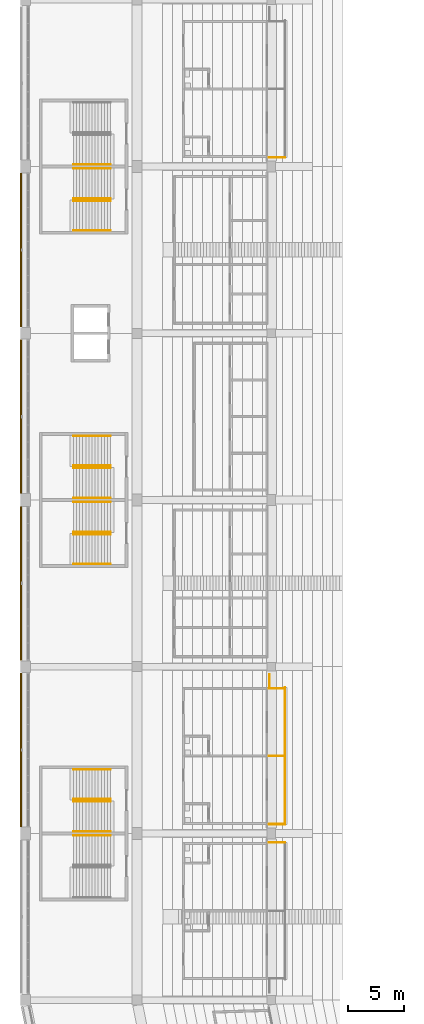
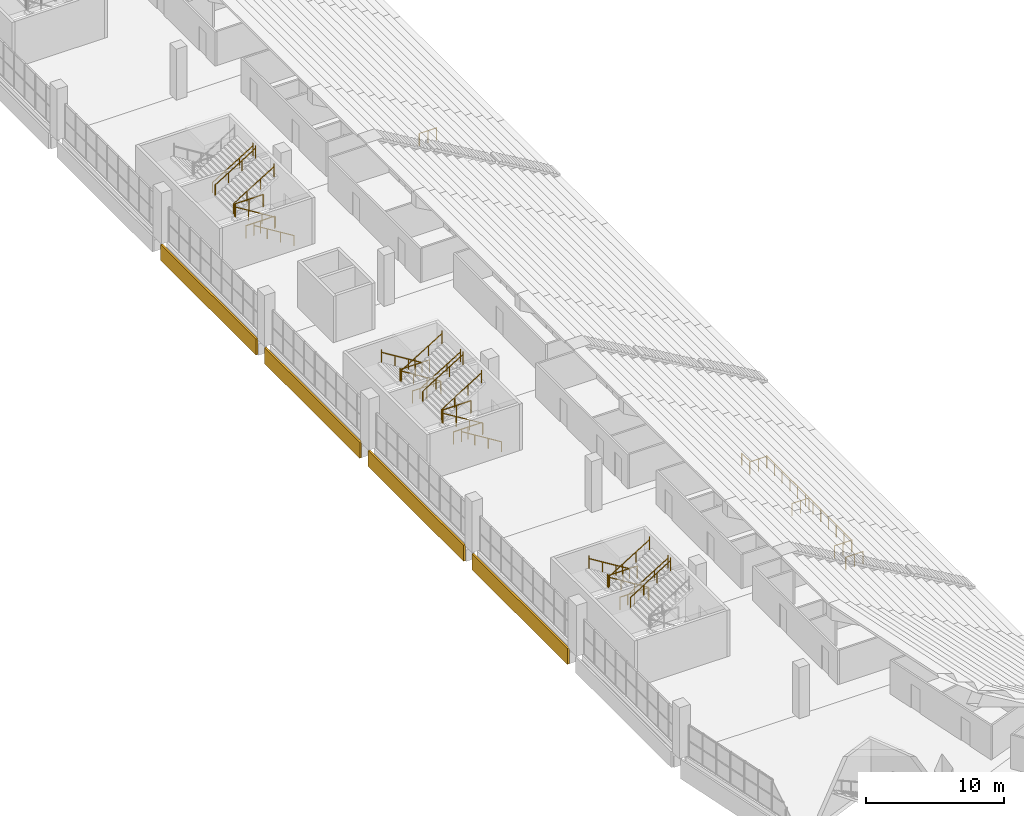
# One storey, part 236 of 249: 33 railings, 4 coverings.
"""IFC4 building model written with IfcOpenShell, lengths in metres."""

from ifc_helpers import new_model, si_unit, direction, frame, origin, origin_2d, place, context, subcontext, project, spatial, polyline, circle, outline, extrude, material, layer, layer_set, type_object, element, save


model = new_model("IFC4")

# Units and contexts
model_context = context("Model", 3, precision=1e-05, world=origin(), true_north=direction((0.0, 1.0)))
body_context = subcontext(model_context, "Body", "Model", "MODEL_VIEW")
ifc_project = project(units=[si_unit("LENGTHUNIT", "METRE"), si_unit("AREAUNIT", "SQUARE_METRE"), si_unit("VOLUMEUNIT", "CUBIC_METRE"), si_unit("PLANEANGLEUNIT", "RADIAN"), si_unit("MASSUNIT", "GRAM", prefix="KILO")], contexts=[model_context])

# Site, building, storey
site_placement = place(None, origin())
site = spatial("IfcSite", under=ifc_project, at=site_placement, CompositionType="ELEMENT")
building_placement = place(site_placement, origin())
building = spatial("IfcBuilding", under=site, at=building_placement, Name="Ogive Plaza Stadium", CompositionType="ELEMENT")
storey_placement = place(building_placement, frame((0.0, 0.0, 13.5)))
storey = spatial("IfcBuildingStorey", under=building, at=storey_placement, Name="L03", CompositionType="ELEMENT", Elevation=13.5)

# Railings
ifc_material_1 = material(Name="Steel ASTM A572 Grade 50", Category="steel")
railing_type_1 = type_object("IfcRailingType", Name="Guard 1100", PredefinedType="GUARDRAIL", material=ifc_material_1)
for number, where, name in (
    (1, (-76.35009765625, -34.52490234375, 0.0), "Stair well guard ST22A L03"),
    (2, (-77.31005859375, -34.52490234375, 2.25), "Stair well guard ST22A L03"),
    (3, (-76.35009765625, -4.52490234375, 0.0), "Stair well guard ST24A L03"),
    (4, (-77.31005859375, -4.52490234375, 2.25), "Stair well guard ST24A L03"),
    (5, (-76.35009765625, -10.47509765625, 0.0), "Stair well guard ST24B L03"),
    (6, (-77.31005859375, -10.47509765625, 2.25), "Stair well guard ST24B L03"),
    (7, (-76.35009765625, 19.52490234375, 0.0), "Stair well guard ST26B L03"),
    (8, (-77.31005859375, 19.52490234375, 2.25), "Stair well guard ST26B L03"),
):
    element("IfcRailing", number, at=place(storey_placement, frame(where)), inside=storey, type_object=railing_type_1, Name=name, PredefinedType="GUARDRAIL", context=body_context, shape_type="SweptSolid", body=[
        extrude(circle(Radius=0.02392578125, at=origin_2d()), frame((0.0, 0.0, 1.076171875), z_axis=(-1.0, 0.0, 0.0), x_axis=(0.0, -1.0, 0.0)), (0.0, 0.0, 1.0), 2.39990234375),
        extrude(circle(Radius=0.02099609375, at=origin_2d()), origin(), (0.0, 0.0, 1.0), 1.052001953125),
        extrude(circle(Radius=0.02099609375, at=origin_2d()), frame((-1.199951171875, 0.0, 0.0)), (0.0, 0.0, 1.0), 1.052001953125),
        extrude(circle(Radius=0.02099609375, at=origin_2d()), frame((-2.39990234375, 0.0, 0.0)), (0.0, 0.0, 1.0), 1.052001953125),
    ])
railing_1_placement = place(storey_placement, frame((-60.64990234375, -38.324951171875, 0.0)))
element("IfcRailing", 9, at=railing_1_placement, inside=storey, type_object=railing_type_1, Name="Terrace screen B21", PredefinedType="GUARDRAIL", context=body_context, shape_type="SweptSolid", body=[
    extrude(circle(Radius=0.02392578125, at=origin_2d()), frame((0.0, 0.0, 1.076171875), z_axis=(-1.0, 0.0, 0.0), x_axis=(0.0, -1.0, 0.0)), (0.0, 0.0, 1.0), 1.4501953125),
    extrude(circle(Radius=0.02099609375, at=origin_2d()), origin(), (0.0, 0.0, 1.0), 1.052001953125),
    extrude(circle(Radius=0.02099609375, at=origin_2d()), frame((-0.72509765625, 0.0, 0.0)), (0.0, 0.0, 1.0), 1.052001953125),
    extrude(circle(Radius=0.02099609375, at=origin_2d()), frame((-1.4501953125, 0.0, 0.0)), (0.0, 0.0, 1.0), 1.052001953125),
])
railing_2_placement = place(storey_placement, frame((-60.64990234375, -36.675048828125, 0.0)))
element("IfcRailing", 10, at=railing_2_placement, inside=storey, type_object=railing_type_1, Name="Terrace guard B22", PredefinedType="GUARDRAIL", context=body_context, shape_type="SweptSolid", body=[
    extrude(circle(Radius=0.02392578125, at=origin_2d()), frame((0.0, 0.0, 1.076171875), z_axis=(0.0, 1.0, 0.0), x_axis=(-1.0, 0.0, 0.0)), (0.0, 0.0, 1.0), 12.300048828125),
    extrude(circle(Radius=0.02099609375, at=origin_2d()), origin(), (0.0, 0.0, 1.0), 1.052001953125),
    extrude(circle(Radius=0.02099609375, at=origin_2d()), frame((0.0, 1.1181640625, 0.0)), (0.0, 0.0, 1.0), 1.052001953125),
    extrude(circle(Radius=0.02099609375, at=origin_2d()), frame((0.0, 2.236328125, 0.0)), (0.0, 0.0, 1.0), 1.052001953125),
    extrude(circle(Radius=0.02099609375, at=origin_2d()), frame((0.0, 3.3544921875, 0.0)), (0.0, 0.0, 1.0), 1.052001953125),
    extrude(circle(Radius=0.02099609375, at=origin_2d()), frame((0.0, 4.47265625, 0.0)), (0.0, 0.0, 1.0), 1.052001953125),
    extrude(circle(Radius=0.02099609375, at=origin_2d()), frame((0.0, 5.5908203125, 0.0)), (0.0, 0.0, 1.0), 1.052001953125),
    extrude(circle(Radius=0.02099609375, at=origin_2d()), frame((0.0, 6.709228515625, 0.0)), (0.0, 0.0, 1.0), 1.052001953125),
    extrude(circle(Radius=0.02099609375, at=origin_2d()), frame((0.0, 7.827392578125, 0.0)), (0.0, 0.0, 1.0), 1.052001953125),
    extrude(circle(Radius=0.02099609375, at=origin_2d()), frame((0.0, 8.945556640625, 0.0)), (0.0, 0.0, 1.0), 1.052001953125),
    extrude(circle(Radius=0.02099609375, at=origin_2d()), frame((0.0, 10.063720703125, 0.0)), (0.0, 0.0, 1.0), 1.052001953125),
    extrude(circle(Radius=0.02099609375, at=origin_2d()), frame((0.0, 11.181884765625, 0.0)), (0.0, 0.0, 1.0), 1.052001953125),
    extrude(circle(Radius=0.02099609375, at=origin_2d()), frame((0.0, 12.300048828125, 0.0)), (0.0, 0.0, 1.0), 1.052001953125),
])
railing_3_placement = place(storey_placement, frame((-62.050048828125, -24.375, 0.0)))
element("IfcRailing", 11, at=railing_3_placement, inside=storey, type_object=railing_type_1, Name="Floor edge guard B22", PredefinedType="GUARDRAIL", context=body_context, shape_type="SweptSolid", body=[
    extrude(circle(Radius=0.02392578125, at=origin_2d()), frame((0.0, 0.0, 1.076171875), z_axis=(0.0, 1.0, 0.0), x_axis=(-1.0, 0.0, 0.0)), (0.0, 0.0, 1.0), 1.175048828125),
    extrude(circle(Radius=0.02099609375, at=origin_2d()), origin(), (0.0, 0.0, 1.0), 1.052001953125),
    extrude(circle(Radius=0.02099609375, at=origin_2d()), frame((0.0, 1.175048828125, 0.0)), (0.0, 0.0, 1.0), 1.052001953125),
])
for number, where, name in (
    (12, (-60.64990234375, -36.675048828125, 0.0), "Terrace screen B22"),
    (13, (-60.64990234375, -30.52490234375, 0.0), "Terrace screen B22"),
    (14, (-60.64990234375, -24.449951171875, 0.0), "Terrace screen B22"),
    (15, (-60.64990234375, 23.324951171875, 0.0), "Terrace screen B26"),
):
    element("IfcRailing", number, at=place(storey_placement, frame(where)), inside=storey, type_object=railing_type_1, Name=name, PredefinedType="GUARDRAIL", context=body_context, shape_type="SweptSolid", body=[
        extrude(circle(Radius=0.02392578125, at=origin_2d()), frame((0.0, 0.0, 1.076171875), z_axis=(-1.0, 0.0, 0.0), x_axis=(0.0, -1.0, 0.0)), (0.0, 0.0, 1.0), 1.4501953125),
        extrude(circle(Radius=0.02099609375, at=origin_2d()), origin(), (0.0, 0.0, 1.0), 1.052001953125),
        extrude(circle(Radius=0.02099609375, at=origin_2d()), frame((-0.72509765625, 0.0, 0.0)), (0.0, 0.0, 1.0), 1.052001953125),
        extrude(circle(Radius=0.02099609375, at=origin_2d()), frame((-1.4501953125, 0.0, 0.0)), (0.0, 0.0, 1.0), 1.052001953125),
    ])
ifc_material_2 = material(Name="Steel ASTM A572 Grade 50", Category="steel")
railing_type_2 = type_object("IfcRailingType", Name="Handrail 900", PredefinedType="HANDRAIL", material=ifc_material_2)
for number, where, name in (
    (16, (-76.35009765625, -31.735107421875, 0.173095703125), "Handrail ST22A L03"),
    (17, (-76.35009765625, -34.4150390625, 0.173095703125), "Handrail ST22A L03"),
):
    element("IfcRailing", number, at=place(storey_placement, frame(where)), inside=storey, type_object=railing_type_2, Name=name, PredefinedType="HANDRAIL", context=body_context, shape_type="SweptSolid", body=[
        extrude(circle(Radius=0.02392578125, at=origin_2d()), frame((0.0, 0.0, 0.8759765625), z_axis=(-0.850606129759, 0.0, 0.525803396734), x_axis=(0.0, -1.0, 0.0)), (0.0, 0.0, 1.0), 3.949951171875),
        extrude(circle(Radius=0.02099609375, at=origin_2d()), origin(), (0.0, 0.0, 1.0), 0.851806640625),
        extrude(circle(Radius=0.02099609375, at=origin_2d()), frame((-1.119873046875, 0.0, 0.6923828125)), (0.0, 0.0, 1.0), 0.851806640625),
        extrude(circle(Radius=0.02099609375, at=origin_2d()), frame((-2.239990234375, 0.0, 1.384521484375)), (0.0, 0.0, 1.0), 0.851806640625),
        extrude(circle(Radius=0.02099609375, at=origin_2d()), frame((-3.35986328125, 0.0, 2.076904296875)), (0.0, 0.0, 1.0), 1.10009765625),
    ])
for number, where, name in (
    (18, (-79.7099609375, -34.635009765625, 2.423095703125), "Handrail ST22A L03"),
    (19, (-79.7099609375, -37.31494140625, 2.423095703125), "Handrail ST22A L03"),
    (20, (-79.7099609375, -37.68505859375, 2.423095703125), "Handrail ST22B L03"),
):
    element("IfcRailing", number, at=place(storey_placement, frame(where)), inside=storey, type_object=railing_type_2, Name=name, PredefinedType="HANDRAIL", context=body_context, shape_type="SweptSolid", body=[
        extrude(circle(Radius=0.02392578125, at=origin_2d()), frame((0.0, 0.0, 0.8759765625), z_axis=(0.850606129759, 0.0, 0.525803396734), x_axis=(0.0, 1.0, 0.0)), (0.0, 0.0, 1.0), 3.949951171875),
        extrude(circle(Radius=0.02099609375, at=origin_2d()), origin(), (0.0, 0.0, 1.0), 0.851806640625),
        extrude(circle(Radius=0.02099609375, at=origin_2d()), frame((1.119873046875, 0.0, 0.6923828125)), (0.0, 0.0, 1.0), 0.851806640625),
        extrude(circle(Radius=0.02099609375, at=origin_2d()), frame((2.239990234375, 0.0, 1.384521484375)), (0.0, 0.0, 1.0), 0.851806640625),
        extrude(circle(Radius=0.02099609375, at=origin_2d()), frame((3.35986328125, 0.0, 2.076904296875)), (0.0, 0.0, 1.0), 1.10009765625),
    ])
for number, where, name in (
    (21, (-76.35009765625, -1.735107421875, 0.173095703125), "Handrail ST24A L03"),
    (22, (-76.35009765625, -4.4150390625, 0.173095703125), "Handrail ST24A L03"),
):
    element("IfcRailing", number, at=place(storey_placement, frame(where)), inside=storey, type_object=railing_type_2, Name=name, PredefinedType="HANDRAIL", context=body_context, shape_type="SweptSolid", body=[
        extrude(circle(Radius=0.02392578125, at=origin_2d()), frame((0.0, 0.0, 0.8759765625), z_axis=(-0.850606129759, 0.0, 0.525803396734), x_axis=(0.0, -1.0, 0.0)), (0.0, 0.0, 1.0), 3.949951171875),
        extrude(circle(Radius=0.02099609375, at=origin_2d()), origin(), (0.0, 0.0, 1.0), 0.851806640625),
        extrude(circle(Radius=0.02099609375, at=origin_2d()), frame((-1.119873046875, 0.0, 0.6923828125)), (0.0, 0.0, 1.0), 0.851806640625),
        extrude(circle(Radius=0.02099609375, at=origin_2d()), frame((-2.239990234375, 0.0, 1.384521484375)), (0.0, 0.0, 1.0), 0.851806640625),
        extrude(circle(Radius=0.02099609375, at=origin_2d()), frame((-3.35986328125, 0.0, 2.076904296875)), (0.0, 0.0, 1.0), 1.10009765625),
    ])
for number, where, name in (
    (23, (-79.7099609375, -4.635009765625, 2.423095703125), "Handrail ST24A L03"),
    (24, (-79.7099609375, -7.31494140625, 2.423095703125), "Handrail ST24A L03"),
):
    element("IfcRailing", number, at=place(storey_placement, frame(where)), inside=storey, type_object=railing_type_2, Name=name, PredefinedType="HANDRAIL", context=body_context, shape_type="SweptSolid", body=[
        extrude(circle(Radius=0.02392578125, at=origin_2d()), frame((0.0, 0.0, 0.8759765625), z_axis=(0.850606129759, 0.0, 0.525803396734), x_axis=(0.0, 1.0, 0.0)), (0.0, 0.0, 1.0), 3.949951171875),
        extrude(circle(Radius=0.02099609375, at=origin_2d()), origin(), (0.0, 0.0, 1.0), 0.851806640625),
        extrude(circle(Radius=0.02099609375, at=origin_2d()), frame((1.119873046875, 0.0, 0.6923828125)), (0.0, 0.0, 1.0), 0.851806640625),
        extrude(circle(Radius=0.02099609375, at=origin_2d()), frame((2.239990234375, 0.0, 1.384521484375)), (0.0, 0.0, 1.0), 0.851806640625),
        extrude(circle(Radius=0.02099609375, at=origin_2d()), frame((3.35986328125, 0.0, 2.076904296875)), (0.0, 0.0, 1.0), 1.10009765625),
    ])
for number, where, name in (
    (25, (-76.35009765625, -10.5849609375, 0.173095703125), "Handrail ST24B L03"),
    (26, (-76.35009765625, -13.264892578125, 0.173095703125), "Handrail ST24B L03"),
):
    element("IfcRailing", number, at=place(storey_placement, frame(where)), inside=storey, type_object=railing_type_2, Name=name, PredefinedType="HANDRAIL", context=body_context, shape_type="SweptSolid", body=[
        extrude(circle(Radius=0.02392578125, at=origin_2d()), frame((0.0, 0.0, 0.8759765625), z_axis=(-0.850606129759, 0.0, 0.525803396734), x_axis=(0.0, -1.0, 0.0)), (0.0, 0.0, 1.0), 3.949951171875),
        extrude(circle(Radius=0.02099609375, at=origin_2d()), origin(), (0.0, 0.0, 1.0), 0.851806640625),
        extrude(circle(Radius=0.02099609375, at=origin_2d()), frame((-1.119873046875, 0.0, 0.6923828125)), (0.0, 0.0, 1.0), 0.851806640625),
        extrude(circle(Radius=0.02099609375, at=origin_2d()), frame((-2.239990234375, 0.0, 1.384521484375)), (0.0, 0.0, 1.0), 0.851806640625),
        extrude(circle(Radius=0.02099609375, at=origin_2d()), frame((-3.35986328125, 0.0, 2.076904296875)), (0.0, 0.0, 1.0), 1.10009765625),
    ])
for number, where, name in (
    (27, (-79.7099609375, -7.68505859375, 2.423095703125), "Handrail ST24B L03"),
    (28, (-79.7099609375, -10.364990234375, 2.423095703125), "Handrail ST24B L03"),
    (29, (-79.7099609375, 22.68505859375, 2.423095703125), "Handrail ST26A L03"),
):
    element("IfcRailing", number, at=place(storey_placement, frame(where)), inside=storey, type_object=railing_type_2, Name=name, PredefinedType="HANDRAIL", context=body_context, shape_type="SweptSolid", body=[
        extrude(circle(Radius=0.02392578125, at=origin_2d()), frame((0.0, 0.0, 0.8759765625), z_axis=(0.850606129759, 0.0, 0.525803396734), x_axis=(0.0, 1.0, 0.0)), (0.0, 0.0, 1.0), 3.949951171875),
        extrude(circle(Radius=0.02099609375, at=origin_2d()), origin(), (0.0, 0.0, 1.0), 0.851806640625),
        extrude(circle(Radius=0.02099609375, at=origin_2d()), frame((1.119873046875, 0.0, 0.6923828125)), (0.0, 0.0, 1.0), 0.851806640625),
        extrude(circle(Radius=0.02099609375, at=origin_2d()), frame((2.239990234375, 0.0, 1.384521484375)), (0.0, 0.0, 1.0), 0.851806640625),
        extrude(circle(Radius=0.02099609375, at=origin_2d()), frame((3.35986328125, 0.0, 2.076904296875)), (0.0, 0.0, 1.0), 1.10009765625),
    ])
for number, where, name in (
    (30, (-76.35009765625, 19.4150390625, 0.173095703125), "Handrail ST26B L03"),
    (31, (-76.35009765625, 16.735107421875, 0.173095703125), "Handrail ST26B L03"),
):
    element("IfcRailing", number, at=place(storey_placement, frame(where)), inside=storey, type_object=railing_type_2, Name=name, PredefinedType="HANDRAIL", context=body_context, shape_type="SweptSolid", body=[
        extrude(circle(Radius=0.02392578125, at=origin_2d()), frame((0.0, 0.0, 0.8759765625), z_axis=(-0.850606129759, 0.0, 0.525803396734), x_axis=(0.0, -1.0, 0.0)), (0.0, 0.0, 1.0), 3.949951171875),
        extrude(circle(Radius=0.02099609375, at=origin_2d()), origin(), (0.0, 0.0, 1.0), 0.851806640625),
        extrude(circle(Radius=0.02099609375, at=origin_2d()), frame((-1.119873046875, 0.0, 0.6923828125)), (0.0, 0.0, 1.0), 0.851806640625),
        extrude(circle(Radius=0.02099609375, at=origin_2d()), frame((-2.239990234375, 0.0, 1.384521484375)), (0.0, 0.0, 1.0), 0.851806640625),
        extrude(circle(Radius=0.02099609375, at=origin_2d()), frame((-3.35986328125, 0.0, 2.076904296875)), (0.0, 0.0, 1.0), 1.10009765625),
    ])
for number, where, name in (
    (32, (-79.7099609375, 22.31494140625, 2.423095703125), "Handrail ST26B L03"),
    (33, (-79.7099609375, 19.635009765625, 2.423095703125), "Handrail ST26B L03"),
):
    element("IfcRailing", number, at=place(storey_placement, frame(where)), inside=storey, type_object=railing_type_2, Name=name, PredefinedType="HANDRAIL", context=body_context, shape_type="SweptSolid", body=[
        extrude(circle(Radius=0.02392578125, at=origin_2d()), frame((0.0, 0.0, 0.8759765625), z_axis=(0.850606129759, 0.0, 0.525803396734), x_axis=(0.0, 1.0, 0.0)), (0.0, 0.0, 1.0), 3.949951171875),
        extrude(circle(Radius=0.02099609375, at=origin_2d()), origin(), (0.0, 0.0, 1.0), 0.851806640625),
        extrude(circle(Radius=0.02099609375, at=origin_2d()), frame((1.119873046875, 0.0, 0.6923828125)), (0.0, 0.0, 1.0), 0.851806640625),
        extrude(circle(Radius=0.02099609375, at=origin_2d()), frame((2.239990234375, 0.0, 1.384521484375)), (0.0, 0.0, 1.0), 0.851806640625),
        extrude(circle(Radius=0.02099609375, at=origin_2d()), frame((3.35986328125, 0.0, 2.076904296875)), (0.0, 0.0, 1.0), 1.10009765625),
    ])

# Coverings
ifc_material_3 = material(Name="Cast stone (reconstituted limestone)", Category="masonry")
ifc_layer = layer(ifc_material_3, 0.159912109375)
ifc_layer_set = layer_set([ifc_layer], Name="Precast spandrel cladding 160")
covering_type = type_object("IfcCoveringType", Name="Precast spandrel cladding 160", PredefinedType="CLADDING", material=ifc_layer_set)
covering_1_placement = place(storey_placement, frame((0.0, 0.0, -1.409912109375)))
element("IfcCovering", 34, at=covering_1_placement, inside=storey, type_object=covering_type, Name="SPANDREL CLADDING B22 L03", PredefinedType="CLADDING", context=body_context, shape_type="SweptSolid", body=[
    extrude(outline(polyline([(-84.35009765625, -36.89990234375), (-84.35009765625, -23.10009765625), (-84.510009765625, -23.10009765625), (-84.510009765625, -36.89990234375), (-84.35009765625, -36.89990234375)])), origin(), (0.0, 0.0, 1.0), 1.409912109375),
])
covering_2_placement = place(storey_placement, frame((0.0, 0.0, -1.409912109375)))
element("IfcCovering", 35, at=covering_2_placement, inside=storey, type_object=covering_type, Name="SPANDREL CLADDING B23 L03", PredefinedType="CLADDING", context=body_context, shape_type="SweptSolid", body=[
    extrude(outline(polyline([(-84.35009765625, -21.89990234375), (-84.35009765625, -8.10009765625), (-84.510009765625, -8.10009765625), (-84.510009765625, -21.89990234375), (-84.35009765625, -21.89990234375)])), origin(), (0.0, 0.0, 1.0), 1.409912109375),
])
covering_3_placement = place(storey_placement, frame((0.0, 0.0, -1.409912109375)))
element("IfcCovering", 36, at=covering_3_placement, inside=storey, type_object=covering_type, Name="SPANDREL CLADDING B24 L03", PredefinedType="CLADDING", context=body_context, shape_type="SweptSolid", body=[
    extrude(outline(polyline([(-84.35009765625, -6.89990234375), (-84.35009765625, 6.89990234375), (-84.510009765625, 6.89990234375), (-84.510009765625, -6.89990234375), (-84.35009765625, -6.89990234375)])), origin(), (0.0, 0.0, 1.0), 1.409912109375),
])
covering_4_placement = place(storey_placement, frame((0.0, 0.0, -1.409912109375)))
element("IfcCovering", 37, at=covering_4_placement, inside=storey, type_object=covering_type, Name="SPANDREL CLADDING B25 L03", PredefinedType="CLADDING", context=body_context, shape_type="SweptSolid", body=[
    extrude(outline(polyline([(-84.35009765625, 8.10009765625), (-84.35009765625, 21.89990234375), (-84.510009765625, 21.89990234375), (-84.510009765625, 8.10009765625), (-84.35009765625, 8.10009765625)])), origin(), (0.0, 0.0, 1.0), 1.409912109375),
])

save(model, "model.ifc")
